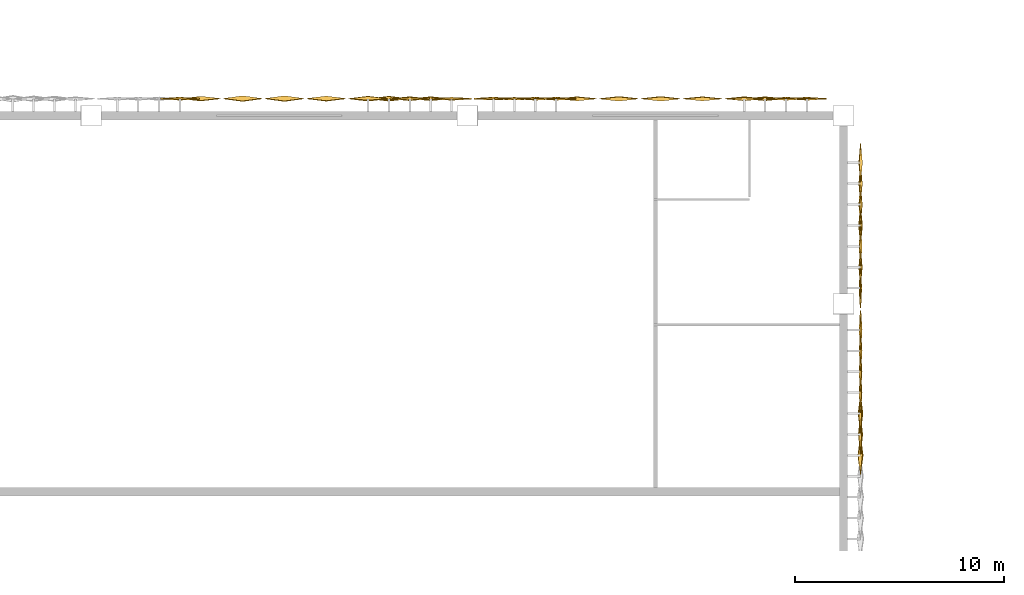
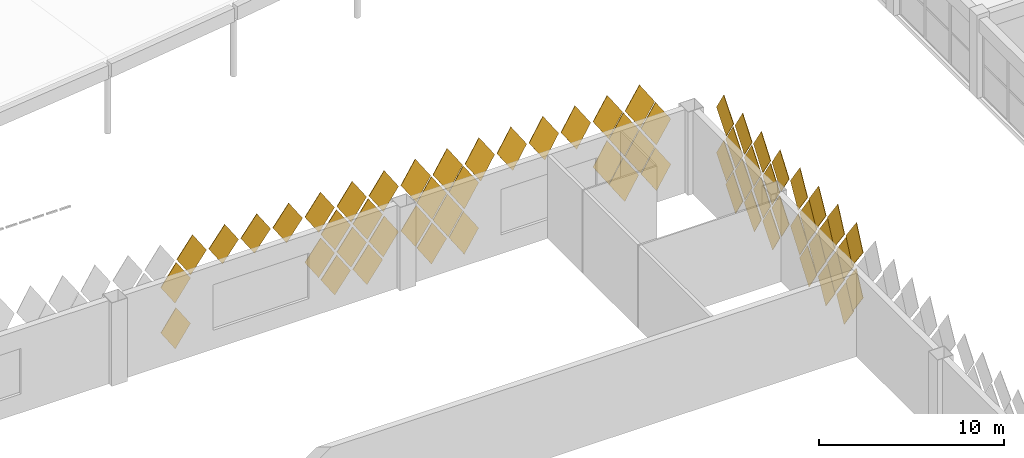
# One storey, part 178 of 185: 64 coverings.
"""IFC4 building model written with IfcOpenShell, lengths in metres."""

from ifc_helpers import new_model, si_unit, direction, frame, origin, place, context, subcontext, project, spatial, polyline, outline, extrude, material, material_profile, profile_set, type_object, element, save


model = new_model("IFC4")

# Units and contexts
model_context = context("Model", 3, precision=1e-05, world=origin(), true_north=direction((0.0, 1.0)))
body_context = subcontext(model_context, "Body", "Model", "MODEL_VIEW")
ifc_project = project(units=[si_unit("LENGTHUNIT", "METRE"), si_unit("AREAUNIT", "SQUARE_METRE"), si_unit("VOLUMEUNIT", "CUBIC_METRE"), si_unit("PLANEANGLEUNIT", "RADIAN"), si_unit("MASSUNIT", "GRAM", prefix="KILO")], contexts=[model_context])

# Site, building, storey
site_placement = place(None, origin())
site = spatial("IfcSite", under=ifc_project, at=site_placement, CompositionType="ELEMENT")
building_placement = place(site_placement, origin())
building = spatial("IfcBuilding", under=site, at=building_placement, Name="Opaline Strait Convention Centre", CompositionType="ELEMENT")
storey_placement = place(building_placement, frame((0.0, 0.0, 6.0)))
storey = spatial("IfcBuildingStorey", under=building, at=storey_placement, Name="L01", CompositionType="ELEMENT", Elevation=6.0)

# Coverings
ifc_material = material(Name="White ceramic-faced aluminium tile", Category="aluminium")
ifc_material_profile_1 = material_profile(ifc_material, outline(polyline([(0.927978515625, 0.0), (0.0, 1.39208984375), (-0.927978515625, 0.0), (0.0, -1.39208984375), (0.927978515625, 0.0)])), Name="Diamond tile 1856x2784")
ifc_profile_set_1 = profile_set([ifc_material_profile_1], Name="White ceramic-faced aluminium tile")
covering_type_1 = type_object("IfcCoveringType", Name="Diamond wall tile 1856x2784x30 pivot 1.5 deg", PredefinedType="CLADDING", material=ifc_profile_set_1)
for number, where, z_axis, x_axis, name in (
    (1, (247.25, 153.800048828125, 1.39208984375), (0.0, 0.999471633277, -0.032503142546), (-1.0, 0.0, 0.0), "Wall tile XT03 N"),
    (2, (245.25, 153.800048828125, 1.39208984375), (0.0, 0.999702690643, 0.024382992455), (-1.0, 0.0, 0.0), "Wall tile XT03 N"),
    (3, (246.25, 153.800048828125, 2.89208984375), (0.0, 0.999471633277, -0.032503142546), (-1.0, 0.0, 0.0), "Wall tile XT03 N"),
    (4, (259.25, 153.800048828125, 4.39208984375), (0.0, 0.999471633277, -0.032503142546), (-1.0, 0.0, 0.0), "Wall tile XT03 N"),
    (5, (245.25, 153.800048828125, 4.39208984375), (0.0, 0.999471633277, -0.032503142546), (-1.0, 0.0, 0.0), "Wall tile XT03 N"),
    (6, (258.25, 153.800048828125, 5.89208984375), (0.0, 0.999471633277, -0.032503142546), (-1.0, 0.0, 0.0), "Wall tile XT03 N"),
    (7, (261.800048828125, 144.75, 5.89208984375), (0.999702690643, 0.0, 0.024382992455), (0.0, 1.0, 0.0), "Wall tile XT03 E"),
):
    element("IfcCovering", number, at=place(storey_placement, frame(where, z_axis=z_axis, x_axis=x_axis)), inside=storey, type_object=covering_type_1, Name=name, PredefinedType="CLADDING", context=body_context, shape_type="SweptSolid", body=[
        extrude(outline(polyline([(0.927978515625, 0.0), (0.0, 1.39208984375), (-0.927978515625, 0.0), (0.0, -1.39208984375), (0.927978515625, 0.0)])), origin(), (0.0, 0.0, 1.0), 0.030029296875),
    ])
ifc_material_profile_2 = material_profile(ifc_material, outline(polyline([(0.927978515625, 0.0), (0.0, 1.39208984375), (-0.927978515625, 0.0), (0.0, -1.39208984375), (0.927978515625, 0.0)])), Name="Diamond tile 1856x2784")
ifc_profile_set_2 = profile_set([ifc_material_profile_2], Name="White ceramic-faced aluminium tile")
covering_type_2 = type_object("IfcCoveringType", Name="Diamond wall tile 1856x2784x30 pivot 2 deg", PredefinedType="CLADDING", material=ifc_profile_set_2)
for number, where, z_axis, x_axis, name in (
    (8, (229.25, 153.800048828125, 1.39208984375), (0.0, 0.999471633277, 0.032503142546), (-1.0, 0.0, 0.0), "Wall tile XT04 N"),
    (9, (244.25, 153.800048828125, 2.89208984375), (0.0, 0.999471633277, 0.032503142546), (-1.0, 0.0, 0.0), "Wall tile XT04 N"),
    (10, (244.25, 153.800048828125, 5.89208984375), (0.0, 0.999174794796, -0.040616861577), (-1.0, 0.0, 0.0), "Wall tile XT04 N"),
    (11, (242.25, 153.800048828125, 5.89208984375), (0.0, 0.999471633277, 0.032503142546), (-1.0, 0.0, 0.0), "Wall tile XT04 N"),
    (12, (261.800048828125, 139.75, 1.39208984375), (0.999174794796, 0.0, -0.040616861577), (0.0, 1.0, 0.0), "Wall tile XT04 E"),
    (13, (261.800048828125, 141.75, 1.39208984375), (0.999471633277, 0.0, 0.032503142546), (0.0, 1.0, 0.0), "Wall tile XT04 E"),
    (14, (261.800048828125, 140.75, 2.89208984375), (0.999174794796, 0.0, -0.040616861577), (0.0, 1.0, 0.0), "Wall tile XT04 E"),
    (15, (261.800048828125, 142.75, 2.89208984375), (0.999471633277, 0.0, 0.032503142546), (0.0, 1.0, 0.0), "Wall tile XT04 E"),
    (16, (261.800048828125, 141.75, 4.39208984375), (0.999174794796, 0.0, -0.040616861577), (0.0, 1.0, 0.0), "Wall tile XT04 E"),
    (17, (261.800048828125, 145.75, 4.39208984375), (0.999471633277, 0.0, 0.032503142546), (0.0, 1.0, 0.0), "Wall tile XT04 E"),
    (18, (261.800048828125, 142.75, 5.89208984375), (0.999174794796, 0.0, -0.040616861577), (0.0, 1.0, 0.0), "Wall tile XT04 E"),
    (19, (261.800048828125, 146.75, 5.89208984375), (0.999471633277, 0.0, 0.032503142546), (0.0, 1.0, 0.0), "Wall tile XT04 E"),
):
    element("IfcCovering", number, at=place(storey_placement, frame(where, z_axis=z_axis, x_axis=x_axis)), inside=storey, type_object=covering_type_2, Name=name, PredefinedType="CLADDING", context=body_context, shape_type="SweptSolid", body=[
        extrude(outline(polyline([(0.927978515625, 0.0), (0.0, 1.39208984375), (-0.927978515625, 0.0), (0.0, -1.39208984375), (0.927978515625, 0.0)])), origin(), (0.0, 0.0, 1.0), 0.030029296875),
    ])
ifc_material_profile_3 = material_profile(ifc_material, outline(polyline([(0.927978515625, 0.0), (0.0, 1.39208984375), (-0.927978515625, 0.0), (0.0, -1.39208984375), (0.927978515625, 0.0)])), Name="Diamond tile 1856x2784")
ifc_profile_set_3 = profile_set([ifc_material_profile_3], Name="White ceramic-faced aluminium tile")
covering_type_3 = type_object("IfcCoveringType", Name="Diamond wall tile 1856x2784x30 pivot 2.5 deg", PredefinedType="CLADDING", material=ifc_profile_set_3)
for number, where, z_axis, x_axis, name in (
    (20, (259.25, 153.800048828125, 1.39208984375), (0.0, 0.998812351125, -0.048722553713), (-1.0, 0.0, 0.0), "Wall tile XT05 N"),
    (21, (258.25, 153.800048828125, 2.89208984375), (0.0, 0.998812351125, -0.048722553713), (-1.0, 0.0, 0.0), "Wall tile XT05 N"),
    (22, (242.25, 153.800048828125, 2.89208984375), (0.0, 0.999174794796, 0.040616861577), (-1.0, 0.0, 0.0), "Wall tile XT05 N"),
    (23, (257.25, 153.800048828125, 4.39208984375), (0.0, 0.998812351125, -0.048722553713), (-1.0, 0.0, 0.0), "Wall tile XT05 N"),
    (24, (247.25, 153.800048828125, 4.39208984375), (0.0, 0.998812351125, -0.048722553713), (-1.0, 0.0, 0.0), "Wall tile XT05 N"),
    (25, (241.25, 153.800048828125, 4.39208984375), (0.0, 0.999174794796, 0.040616861577), (-1.0, 0.0, 0.0), "Wall tile XT05 N"),
    (26, (256.25, 153.800048828125, 5.89208984375), (0.0, 0.998812351125, -0.048722553713), (-1.0, 0.0, 0.0), "Wall tile XT05 N"),
    (27, (246.25, 153.800048828125, 5.89208984375), (0.0, 0.998812351125, -0.048722553713), (-1.0, 0.0, 0.0), "Wall tile XT05 N"),
    (28, (240.25, 153.800048828125, 5.89208984375), (0.0, 0.999174794796, 0.040616861577), (-1.0, 0.0, 0.0), "Wall tile XT05 N"),
    (29, (261.800048828125, 137.75, 1.39208984375), (0.998812351125, 0.0, -0.048722553713), (0.0, 1.0, 0.0), "Wall tile XT05 E"),
    (30, (261.800048828125, 138.75, 2.89208984375), (0.998812351125, 0.0, -0.048722553713), (0.0, 1.0, 0.0), "Wall tile XT05 E"),
    (31, (261.800048828125, 144.75, 2.89208984375), (0.999174794796, 0.0, 0.040616861577), (0.0, 1.0, 0.0), "Wall tile XT05 E"),
    (32, (261.800048828125, 139.75, 4.39208984375), (0.998812351125, 0.0, -0.048722553713), (0.0, 1.0, 0.0), "Wall tile XT05 E"),
    (33, (261.800048828125, 140.75, 5.89208984375), (0.998812351125, 0.0, -0.048722553713), (0.0, 1.0, 0.0), "Wall tile XT05 E"),
    (34, (261.800048828125, 148.75, 5.89208984375), (0.999174794796, 0.0, 0.040616861577), (0.0, 1.0, 0.0), "Wall tile XT05 E"),
):
    element("IfcCovering", number, at=place(storey_placement, frame(where, z_axis=z_axis, x_axis=x_axis)), inside=storey, type_object=covering_type_3, Name=name, PredefinedType="CLADDING", context=body_context, shape_type="SweptSolid", body=[
        extrude(outline(polyline([(0.927978515625, 0.0), (0.0, 1.39208984375), (-0.927978515625, 0.0), (0.0, -1.39208984375), (0.927978515625, 0.0)])), origin(), (0.0, 0.0, 1.0), 0.030029296875),
    ])
ifc_material_profile_4 = material_profile(ifc_material, outline(polyline([(0.927978515625, 0.0), (0.0, 1.39208984375), (-0.927978515625, 0.0), (0.0, -1.39208984375), (0.927978515625, 0.0)])), Name="Diamond tile 1856x2784")
ifc_profile_set_4 = profile_set([ifc_material_profile_4], Name="White ceramic-faced aluminium tile")
covering_type_4 = type_object("IfcCoveringType", Name="Diamond wall tile 1856x2784x30 pivot 3 deg", PredefinedType="CLADDING", material=ifc_profile_set_4)
for number, where, z_axis, x_axis, name in (
    (35, (229.25, 153.800048828125, 4.39208984375), (0.0, 0.998812351125, 0.048722553713), (-1.0, 0.0, 0.0), "Wall tile XT06 N"),
    (36, (261.800048828125, 146.75, 2.89208984375), (0.998812351125, 0.0, 0.048722553713), (0.0, 1.0, 0.0), "Wall tile XT06 E"),
    (37, (261.800048828125, 147.75, 4.39208984375), (0.998812351125, 0.0, 0.048722553713), (0.0, 1.0, 0.0), "Wall tile XT06 E"),
):
    element("IfcCovering", number, at=place(storey_placement, frame(where, z_axis=z_axis, x_axis=x_axis)), inside=storey, type_object=covering_type_4, Name=name, PredefinedType="CLADDING", context=body_context, shape_type="SweptSolid", body=[
        extrude(outline(polyline([(0.927978515625, 0.0), (0.0, 1.39208984375), (-0.927978515625, 0.0), (0.0, -1.39208984375), (0.927978515625, 0.0)])), origin(), (0.0, 0.0, 1.0), 0.030029296875),
    ])
ifc_material_profile_5 = material_profile(ifc_material, outline(polyline([(0.927978515625, 0.0), (0.0, 1.39208984375), (-0.927978515625, 0.0), (0.0, -1.39208984375), (0.927978515625, 0.0)])), Name="Diamond tile 1856x2784")
ifc_profile_set_5 = profile_set([ifc_material_profile_5], Name="White ceramic-faced aluminium tile")
covering_type_5 = type_object("IfcCoveringType", Name="Diamond wall tile 1856x2784x30 pivot 3.5 deg", PredefinedType="CLADDING", material=ifc_profile_set_5)
for number, where, z_axis, x_axis, name in (
    (38, (257.25, 153.800048828125, 1.39208984375), (0.0, 0.99785694905, -0.065433242561), (-1.0, 0.0, 0.0), "Wall tile XT07 N"),
    (39, (256.25, 153.800048828125, 2.89208984375), (0.0, 0.99785694905, -0.065433242561), (-1.0, 0.0, 0.0), "Wall tile XT07 N"),
    (40, (254.25, 153.800048828125, 5.89208984375), (0.0, 0.99785694905, -0.065433242561), (-1.0, 0.0, 0.0), "Wall tile XT07 N"),
    (41, (248.25, 153.800048828125, 5.89208984375), (0.0, 0.99785694905, -0.065433242561), (-1.0, 0.0, 0.0), "Wall tile XT07 N"),
    (42, (261.800048828125, 145.75, 1.39208984375), (0.99835799028, 0.0, 0.057282835508), (0.0, 1.0, 0.0), "Wall tile XT07 E"),
    (43, (261.800048828125, 149.75, 1.39208984375), (0.99835799028, 0.0, 0.057282835508), (0.0, 1.0, 0.0), "Wall tile XT07 E"),
    (44, (261.800048828125, 148.75, 2.89208984375), (0.99835799028, 0.0, 0.057282835508), (0.0, 1.0, 0.0), "Wall tile XT07 E"),
    (45, (261.800048828125, 150.75, 2.89208984375), (0.99835799028, 0.0, 0.057282835508), (0.0, 1.0, 0.0), "Wall tile XT07 E"),
    (46, (261.800048828125, 149.75, 4.39208984375), (0.99835799028, 0.0, 0.057282835508), (0.0, 1.0, 0.0), "Wall tile XT07 E"),
    (47, (261.800048828125, 150.75, 5.89208984375), (0.99835799028, 0.0, 0.057282835508), (0.0, 1.0, 0.0), "Wall tile XT07 E"),
):
    element("IfcCovering", number, at=place(storey_placement, frame(where, z_axis=z_axis, x_axis=x_axis)), inside=storey, type_object=covering_type_5, Name=name, PredefinedType="CLADDING", context=body_context, shape_type="SweptSolid", body=[
        extrude(outline(polyline([(0.927978515625, 0.0), (0.0, 1.39208984375), (-0.927978515625, 0.0), (0.0, -1.39208984375), (0.927978515625, 0.0)])), origin(), (0.0, 0.0, 1.0), 0.02978515625),
    ])
ifc_material_profile_6 = material_profile(ifc_material, outline(polyline([(0.927978515625, 0.0), (0.0, 1.39208984375), (-0.927978515625, 0.0), (0.0, -1.39208984375), (0.927978515625, 0.0)])), Name="Diamond tile 1856x2784")
ifc_profile_set_6 = profile_set([ifc_material_profile_6], Name="White ceramic-faced aluminium tile")
covering_type_6 = type_object("IfcCoveringType", Name="Diamond wall tile 1856x2784x30 pivot 4 deg", PredefinedType="CLADDING", material=ifc_profile_set_6)
for number, where, z_axis, x_axis, name in (
    (48, (241.25, 153.800048828125, 1.39208984375), (0.0, 0.99785694905, 0.065433242561), (-1.0, 0.0, 0.0), "Wall tile XT08 N"),
    (49, (240.25, 153.800048828125, 2.89208984375), (0.0, 0.99785694905, 0.065433242561), (-1.0, 0.0, 0.0), "Wall tile XT08 N"),
    (50, (239.25, 153.800048828125, 4.39208984375), (0.0, 0.99785694905, 0.065433242561), (-1.0, 0.0, 0.0), "Wall tile XT08 N"),
    (51, (252.25, 153.800048828125, 5.89208984375), (0.0, 0.997290013252, -0.073570574748), (-1.0, 0.0, 0.0), "Wall tile XT08 N"),
    (52, (250.25, 153.800048828125, 5.89208984375), (0.0, 0.997290013252, -0.073570574748), (-1.0, 0.0, 0.0), "Wall tile XT08 N"),
    (53, (238.25, 153.800048828125, 5.89208984375), (0.0, 0.99785694905, 0.065433242561), (-1.0, 0.0, 0.0), "Wall tile XT08 N"),
    (54, (261.800048828125, 147.75, 1.39208984375), (0.99785694905, 0.0, 0.065433242561), (0.0, 1.0, 0.0), "Wall tile XT08 E"),
    (55, (261.800048828125, 136.75, 2.89208984375), (0.997290013252, 0.0, -0.073570574748), (0.0, 1.0, 0.0), "Wall tile XT08 E"),
    (56, (261.800048828125, 137.75, 4.39208984375), (0.997290013252, 0.0, -0.073570574748), (0.0, 1.0, 0.0), "Wall tile XT08 E"),
):
    element("IfcCovering", number, at=place(storey_placement, frame(where, z_axis=z_axis, x_axis=x_axis)), inside=storey, type_object=covering_type_6, Name=name, PredefinedType="CLADDING", context=body_context, shape_type="SweptSolid", body=[
        extrude(outline(polyline([(0.927978515625, 0.0), (0.0, 1.39208984375), (-0.927978515625, 0.0), (0.0, -1.39208984375), (0.927978515625, 0.0)])), origin(), (0.0, 0.0, 1.0), 0.02978515625),
    ])
ifc_material_profile_7 = material_profile(ifc_material, outline(polyline([(0.927978515625, 0.0), (0.0, 1.39208984375), (-0.927978515625, 0.0), (0.0, -1.39208984375), (0.927978515625, 0.0)])), Name="Diamond tile 1856x2784")
ifc_profile_set_7 = profile_set([ifc_material_profile_7], Name="White ceramic-faced aluminium tile")
covering_type_7 = type_object("IfcCoveringType", Name="Diamond wall tile 1856x2784x30 pivot 4.5 deg", PredefinedType="CLADDING", material=ifc_profile_set_7)
for number, where, z_axis, x_axis, name in (
    (57, (230.25, 153.800048828125, 5.89208984375), (0.0, 0.997290013252, 0.073570574748), (-1.0, 0.0, 0.0), "Wall tile XT09 N"),
    (58, (261.800048828125, 138.75, 5.89208984375), (0.996657521232, 0.0, -0.081693239445), (0.0, 1.0, 0.0), "Wall tile XT09 E"),
):
    element("IfcCovering", number, at=place(storey_placement, frame(where, z_axis=z_axis, x_axis=x_axis)), inside=storey, type_object=covering_type_7, Name=name, PredefinedType="CLADDING", context=body_context, shape_type="SweptSolid", body=[
        extrude(outline(polyline([(0.927978515625, 0.0), (0.0, 1.39208984375), (-0.927978515625, 0.0), (0.0, -1.39208984375), (0.927978515625, 0.0)])), origin(), (0.0, 0.0, 1.0), 0.02978515625),
    ])
ifc_material_profile_8 = material_profile(ifc_material, outline(polyline([(0.927978515625, 0.0), (0.0, 1.39208984375), (-0.927978515625, 0.0), (0.0, -1.39208984375), (0.927978515625, 0.0)])), Name="Diamond tile 1856x2784")
ifc_profile_set_8 = profile_set([ifc_material_profile_8], Name="White ceramic-faced aluminium tile")
covering_type_8 = type_object("IfcCoveringType", Name="Diamond wall tile 1856x2784x30 pivot 5 deg", PredefinedType="CLADDING", material=ifc_profile_set_8)
for number, where, z_axis, x_axis, name in (
    (59, (239.25, 153.800048828125, 1.39208984375), (0.0, 0.996657521232, 0.081693239445), (-1.0, 0.0, 0.0), "Wall tile XT10 N"),
    (60, (238.25, 153.800048828125, 2.89208984375), (0.0, 0.996657521232, 0.081693239445), (-1.0, 0.0, 0.0), "Wall tile XT10 N"),
    (61, (236.25, 153.800048828125, 5.89208984375), (0.0, 0.996657521232, 0.081693239445), (-1.0, 0.0, 0.0), "Wall tile XT10 N"),
    (62, (261.800048828125, 136.75, 5.89208984375), (0.995959849254, 0.0, -0.089799658539), (0.0, 1.0, 0.0), "Wall tile XT10 E"),
):
    element("IfcCovering", number, at=place(storey_placement, frame(where, z_axis=z_axis, x_axis=x_axis)), inside=storey, type_object=covering_type_8, Name=name, PredefinedType="CLADDING", context=body_context, shape_type="SweptSolid", body=[
        extrude(outline(polyline([(0.927978515625, 0.0), (0.0, 1.39208984375), (-0.927978515625, 0.0), (0.0, -1.39208984375), (0.927978515625, 0.0)])), origin(), (0.0, 0.0, 1.0), 0.02978515625),
    ])
ifc_material_profile_9 = material_profile(ifc_material, outline(polyline([(0.927978515625, 0.0), (0.0, 1.39208984375), (-0.927978515625, 0.0), (0.0, -1.39208984375), (0.927978515625, 0.0)])), Name="Diamond tile 1856x2784")
ifc_profile_set_9 = profile_set([ifc_material_profile_9], Name="White ceramic-faced aluminium tile")
covering_type_9 = type_object("IfcCoveringType", Name="Diamond wall tile 1856x2784x30 pivot 5.5 deg", PredefinedType="CLADDING", material=ifc_profile_set_9)
for number, where, z_axis, x_axis, name in (
    (63, (234.25, 153.800048828125, 5.89208984375), (0.0, 0.995959849254, 0.089799658539), (-1.0, 0.0, 0.0), "Wall tile XT11 N"),
    (64, (232.25, 153.800048828125, 5.89208984375), (0.0, 0.995959849254, 0.089799658539), (-1.0, 0.0, 0.0), "Wall tile XT11 N"),
):
    element("IfcCovering", number, at=place(storey_placement, frame(where, z_axis=z_axis, x_axis=x_axis)), inside=storey, type_object=covering_type_9, Name=name, PredefinedType="CLADDING", context=body_context, shape_type="SweptSolid", body=[
        extrude(outline(polyline([(0.927978515625, 0.0), (0.0, 1.39208984375), (-0.927978515625, 0.0), (0.0, -1.39208984375), (0.927978515625, 0.0)])), origin(), (0.0, 0.0, 1.0), 0.02978515625),
    ])

save(model, "model.ifc")
